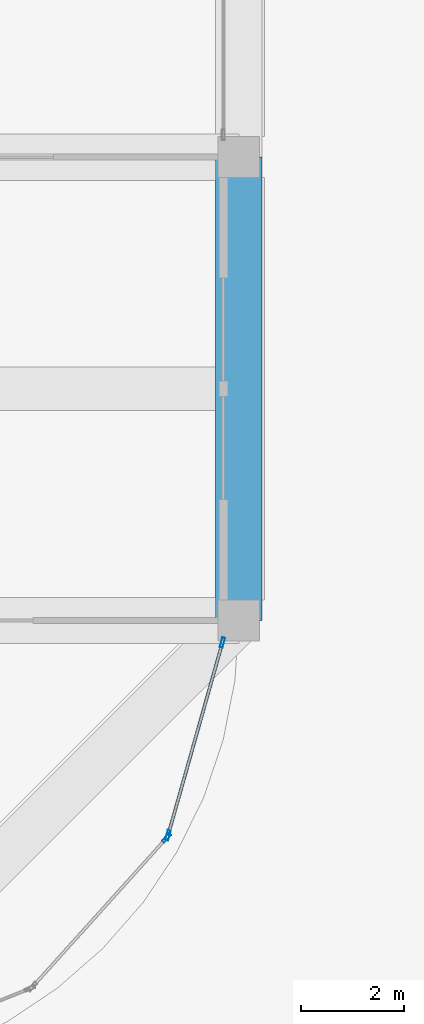
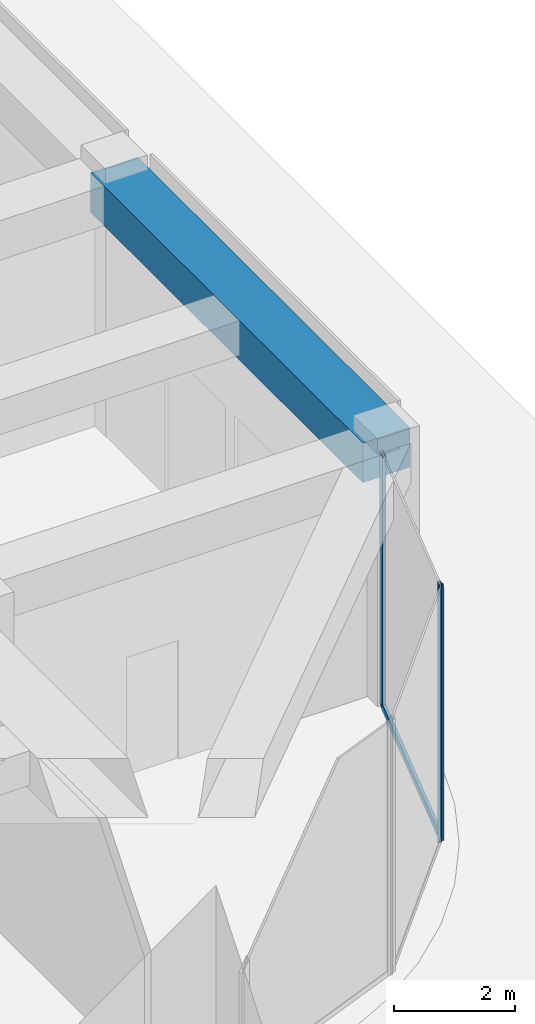
# One storey, part 31 of 56: 4 members, 1 beam, 2 elements without a shape of their own.
"""IFC4 building model written with IfcOpenShell, lengths in metres."""

from ifc_helpers import new_model, si_unit, direction, frame, origin, origin_2d, place, context, subcontext, project, spatial, rectangle, hollow_rectangle, extrude, material, material_profile, profile_set, type_object, element, aggregate, save


model = new_model("IFC4")

# Units and contexts
model_context = context("Model", 3, precision=1e-05, world=origin(), true_north=direction((0.0, 1.0)))
body_context = subcontext(model_context, "Body", "Model", "MODEL_VIEW")
ifc_project = project(units=[si_unit("LENGTHUNIT", "METRE"), si_unit("AREAUNIT", "SQUARE_METRE"), si_unit("VOLUMEUNIT", "CUBIC_METRE"), si_unit("PLANEANGLEUNIT", "RADIAN"), si_unit("MASSUNIT", "GRAM", prefix="KILO")], contexts=[model_context])

# Site, building, storey
site_placement = place(None, origin())
site = spatial("IfcSite", under=ifc_project, at=site_placement, CompositionType="ELEMENT")
building_placement = place(site_placement, origin())
building = spatial("IfcBuilding", under=site, at=building_placement, Name="Zorevar Civic Tower", CompositionType="ELEMENT")
storey_placement = place(building_placement, origin())
storey = spatial("IfcBuildingStorey", under=building, at=storey_placement, Name="L00", CompositionType="ELEMENT", Elevation=0.0)

# Curtain wall, member
ifc_material_1 = material(Name="Dark grey solar-control glass in black aluminium frame", Category="aluminium")
curtain_wall_type = type_object("IfcCurtainWallType", Name="Curtain wall CW1 podium", PredefinedType="NOTDEFINED", material=ifc_material_1)
curtain_wall_1_placement = place(storey_placement, origin())
curtain_wall_1 = element("IfcCurtainWall", 1, at=curtain_wall_1_placement, inside=storey, type_object=curtain_wall_type, Name="CW1 L00", PredefinedType="NOTDEFINED")
ifc_material_2 = material(Name="Aluminium, black anodised", Category="aluminium")
ifc_material_profile_1 = material_profile(ifc_material_2, hollow_rectangle(XDim=0.06005859375, YDim=0.199951171875, WallThickness=0.00390625, at=origin_2d()), Name="AL 200x60x4")
ifc_profile_set_1 = profile_set([ifc_material_profile_1], Name="Aluminium, black anodised")
member_type_1 = type_object("IfcMemberType", Name="CW1 mullion AL 200x60x4", PredefinedType="MULLION", material=ifc_profile_set_1)
member_1_placement = place(storey_placement, frame((70.596923828125, 4.774169921875, 0.0), z_axis=(0.0, 0.0, 1.0), x_axis=(-0.742899688263, 0.669402758568, 0.0)))
member_1 = element("IfcMember", 2, at=member_1_placement, type_object=member_type_1, Name="CW1 mullion 2", PredefinedType="MULLION", context=body_context, shape_type="SweptSolid", body=[
    extrude(hollow_rectangle(XDim=0.06005859375, YDim=0.199951171875, WallThickness=0.00390625, at=origin_2d()), origin(), (0.0, 0.0, 1.0), 5.10009765625),
])
aggregate(curtain_wall_1, [member_1])

# Curtain wall, members
curtain_wall_2_placement = place(storey_placement, origin())
curtain_wall_2 = element("IfcCurtainWall", 3, at=curtain_wall_2_placement, inside=storey, type_object=curtain_wall_type, Name="CW1 L00", PredefinedType="NOTDEFINED")
member_2_placement = place(storey_placement, frame((70.625244140625, 4.825439453125, 0.0), z_axis=(0.0, 0.0, 1.0), x_axis=(-0.962390725943, 0.271669082929, 0.0)))
member_2 = element("IfcMember", 4, at=member_2_placement, type_object=member_type_1, Name="CW1 mullion 1", PredefinedType="MULLION", context=body_context, shape_type="SweptSolid", body=[
    extrude(hollow_rectangle(XDim=0.06005859375, YDim=0.199951171875, WallThickness=0.00390625, at=origin_2d()), origin(), (0.0, 0.0, 1.0), 5.10009765625),
])
member_3_placement = place(storey_placement, frame((71.6826171875, 8.571044921875, 0.0), z_axis=(0.0, 0.0, 1.0), x_axis=(-0.962390725943, 0.271669082929, 0.0)))
member_3 = element("IfcMember", 5, at=member_3_placement, type_object=member_type_1, Name="CW1 mullion 2", PredefinedType="MULLION", context=body_context, shape_type="SweptSolid", body=[
    extrude(hollow_rectangle(XDim=0.06005859375, YDim=0.199951171875, WallThickness=0.00390625, at=origin_2d()), origin(), (0.0, 0.0, 1.0), 5.10009765625),
])
ifc_material_3 = material(Name="Aluminium, black anodised", Category="aluminium")
ifc_material_profile_2 = material_profile(ifc_material_3, hollow_rectangle(XDim=0.06005859375, YDim=0.14990234375, WallThickness=0.00390625, at=origin_2d()), Name="AL 150x60x4")
ifc_profile_set_2 = profile_set([ifc_material_profile_2], Name="Aluminium, black anodised")
member_type_2 = type_object("IfcMemberType", Name="CW1 transom AL 150x60x4", PredefinedType="USERDEFINED", material=ifc_profile_set_2)
member_4_placement = place(storey_placement, frame((70.63330078125, 4.854248046875, 0.030029296875), z_axis=(0.271656874729, 0.962394172059, 0.0), x_axis=(-0.962394172059, 0.271656874729, 0.0)))
member_4 = element("IfcMember", 6, at=member_4_placement, type_object=member_type_2, Name="CW1 sill transom", ObjectType="TRANSOM", PredefinedType="USERDEFINED", context=body_context, shape_type="SweptSolid", body=[
    extrude(hollow_rectangle(XDim=0.06005859375, YDim=0.14990234375, WallThickness=0.00390625, at=origin_2d()), origin(), (0.0, 0.0, 1.0), 3.83203125),
])
aggregate(curtain_wall_2, [member_2, member_3, member_4])

# Beam
ifc_material_4 = material(Name="Concrete C50/60", Category="concrete")
ifc_material_profile_3 = material_profile(ifc_material_4, rectangle(XDim=0.89990234375, YDim=0.800048828125, at=origin_2d()), Name="RC 900x800")
ifc_profile_set_3 = profile_set([ifc_material_profile_3], Name="Concrete C50/60")
beam_type = type_object("IfcBeamType", Name="Edge beam RC 900x800", PredefinedType="SPANDREL", material=ifc_profile_set_3)
beam_placement = place(storey_placement, frame((72.0, 9.0, 4.699951171875), z_axis=(0.0, 1.0, 0.0), x_axis=(-1.0, 0.0, 0.0)))
element("IfcBeam", 7, at=beam_placement, inside=storey, type_object=beam_type, Name="Edge beam L01", PredefinedType="SPANDREL", context=body_context, shape_type="SweptSolid", body=[
    extrude(rectangle(XDim=0.89990234375, YDim=0.800048828125, at=origin_2d()), origin(), (0.0, 0.0, 1.0), 9.0),
])

save(model, "model.ifc")
